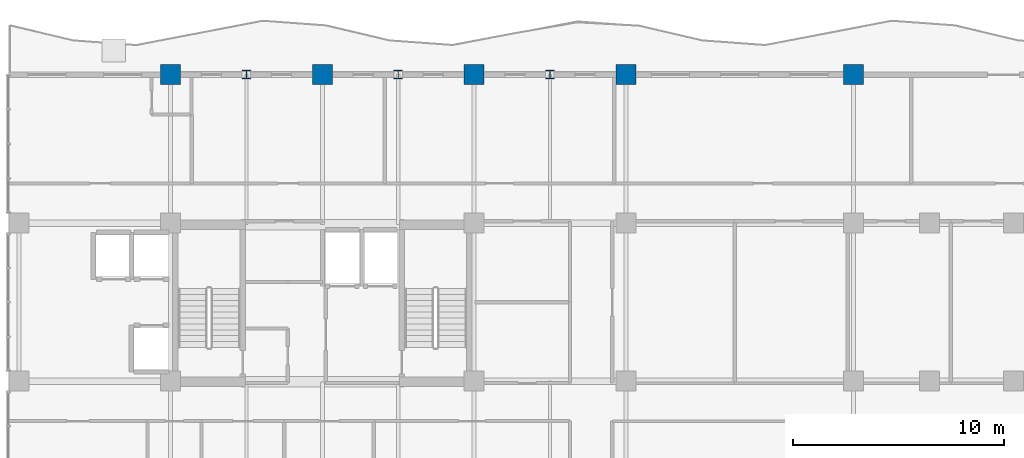
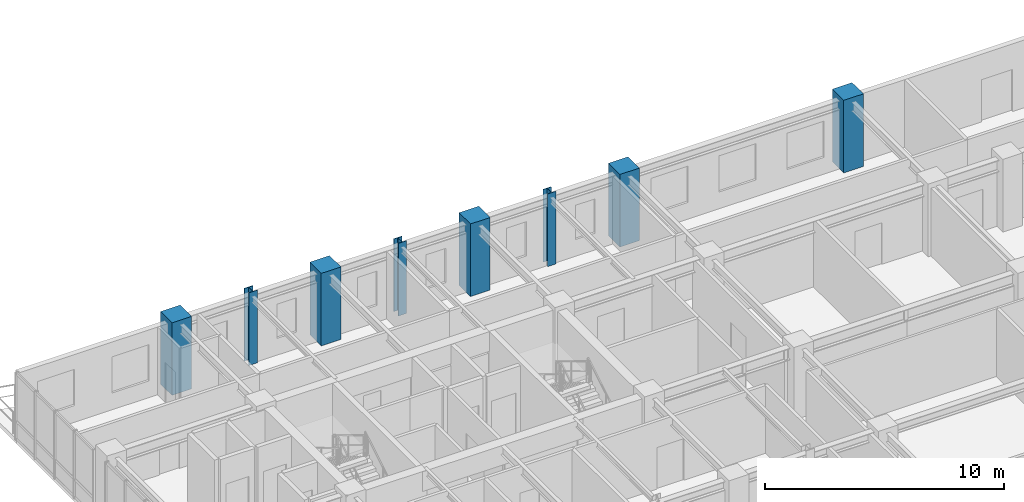
# One storey, part 3 of 20: 8 columns.
"""IFC4 building model written with IfcOpenShell, lengths in metres."""

from ifc_helpers import new_model, si_unit, direction, frame, origin, origin_2d, place, context, subcontext, project, spatial, rectangle, i_section, extrude, source, transform, mapped, material, material_profile, profile_set, type_object, element, save


model = new_model("IFC4")

# Units and contexts
model_context = context("Model", 3, precision=1e-05, world=origin(), true_north=direction((0.0, 1.0)))
body_context = subcontext(model_context, "Body", "Model", "MODEL_VIEW")
ifc_project = project(units=[si_unit("LENGTHUNIT", "METRE"), si_unit("AREAUNIT", "SQUARE_METRE"), si_unit("VOLUMEUNIT", "CUBIC_METRE"), si_unit("PLANEANGLEUNIT", "RADIAN"), si_unit("MASSUNIT", "GRAM", prefix="KILO")], contexts=[model_context])

# Site, building, storey
site_placement = place(None, origin())
site = spatial("IfcSite", under=ifc_project, at=site_placement, CompositionType="ELEMENT")
building_placement = place(site_placement, origin())
building = spatial("IfcBuilding", under=site, at=building_placement, Name="Kaliganga Portal Commons", CompositionType="ELEMENT")
storey_placement = place(building_placement, frame((0.0, 0.0, 201.800048828125)))
storey = spatial("IfcBuildingStorey", under=building, at=storey_placement, Name="L51", CompositionType="ELEMENT", Elevation=201.800048828125)

# Columns
ifc_material_1 = material(Name="Concrete C50/60", Category="concrete")
ifc_material_profile_1 = material_profile(ifc_material_1, rectangle(XDim=0.949951171875, YDim=0.949951171875, at=origin_2d()), Name="RC 950x950")
ifc_profile_set_1 = profile_set([ifc_material_profile_1], Name="Concrete C50/60")
column_type_1 = type_object("IfcColumnType", Name="COL-MEGA-Z4", PredefinedType="COLUMN", material=ifc_profile_set_1)
shared_shape_1 = source(origin(), body_context, "Body", "SweptSolid", [
    extrude(rectangle(XDim=0.949951171875, YDim=0.949951171875, at=origin_2d()), origin(), (0.0, 0.0, 1.0), 3.699951171875),
])
for number, where, z_axis, x_axis, name in (
    (1, (14.39990234375, 43.199951171875, 0.0), (0.0, 0.0, 1.0), (1.0, 0.0, 0.0), "Column MC-05 L51"),
    (2, (21.60009765625, 43.199951171875, 0.0), (0.0, 0.0, 1.0), (1.0, 0.0, 0.0), "Column MC-05 L51"),
    (3, (28.800048828125, 43.199951171875, 0.0), (0.0, 0.0, 1.0), (1.0, 0.0, 0.0), "Column MC-05 L51"),
    (4, (36.0, 43.199951171875, 0.0), (0.0, 0.0, 1.0), (1.0, 0.0, 0.0), "Column MC-05 L51"),
    (5, (46.800048828125, 43.199951171875, 0.0), (0.0, 0.0, 1.0), (1.0, 0.0, 0.0), "Column MC-05 L51"),
):
    element("IfcColumn", number, at=place(storey_placement, frame(where, z_axis=z_axis, x_axis=x_axis)), inside=storey, type_object=column_type_1, Name=name, PredefinedType="COLUMN", context=body_context, shape_type="MappedRepresentation", body=[
        mapped(shared_shape_1, transform((0.0, 0.0, 0.0), x_axis=(1.0, 0.0, 0.0), y_axis=(0.0, 1.0, 0.0), z_axis=(0.0, 0.0, 1.0), scale=1.0)),
    ])
ifc_material_2 = material(Name="Structural steel S355J2", Category="steel")
ifc_material_profile_2 = material_profile(ifc_material_2, i_section(OverallWidth=0.39892578125, OverallDepth=0.39990234375, WebThickness=0.017333984375, FlangeThickness=0.0234375, FilletRadius=0.014892578125, at=origin_2d()), Name="HD 400x287")
ifc_profile_set_2 = profile_set([ifc_material_profile_2], Name="Structural steel S355J2 wide-flange")
column_type_2 = type_object("IfcColumnType", Name="COL-TUBE-B4", PredefinedType="COLUMN", material=ifc_profile_set_2)
shared_shape_2 = source(origin(), body_context, "Body", "SweptSolid", [
    extrude(i_section(OverallWidth=0.39892578125, OverallDepth=0.39990234375, WebThickness=0.017333984375, FlangeThickness=0.0234375, FilletRadius=0.014892578125, at=origin_2d()), origin(), (0.0, 0.0, 1.0), 3.699951171875),
])
for number, where, z_axis, x_axis, name in (
    (6, (18.0, 43.199951171875, 0.0), (0.0, 0.0, 1.0), (1.0, 0.0, 0.0), "Column TC-04 L51"),
    (7, (25.199951171875, 43.199951171875, 0.0), (0.0, 0.0, 1.0), (1.0, 0.0, 0.0), "Column TC-04 L51"),
    (8, (32.39990234375, 43.199951171875, 0.0), (0.0, 0.0, 1.0), (1.0, 0.0, 0.0), "Column TC-04 L51"),
):
    element("IfcColumn", number, at=place(storey_placement, frame(where, z_axis=z_axis, x_axis=x_axis)), inside=storey, type_object=column_type_2, Name=name, PredefinedType="COLUMN", context=body_context, shape_type="MappedRepresentation", body=[
        mapped(shared_shape_2, transform((0.0, 0.0, 0.0), x_axis=(1.0, 0.0, 0.0), y_axis=(0.0, 1.0, 0.0), z_axis=(0.0, 0.0, 1.0), scale=1.0)),
    ])

save(model, "model.ifc")
